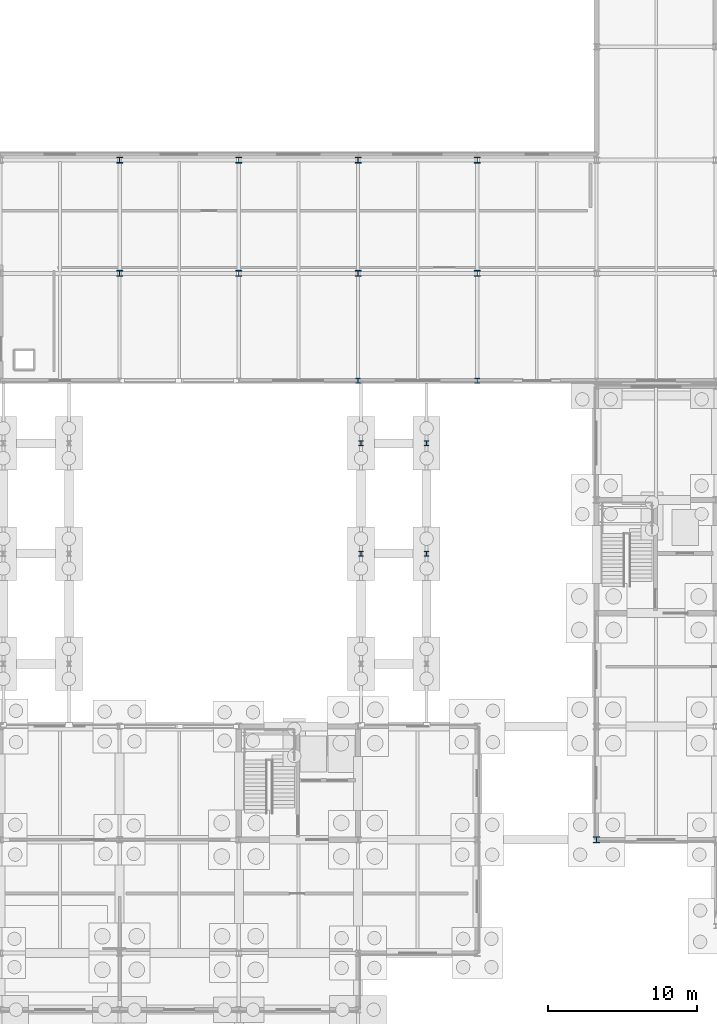
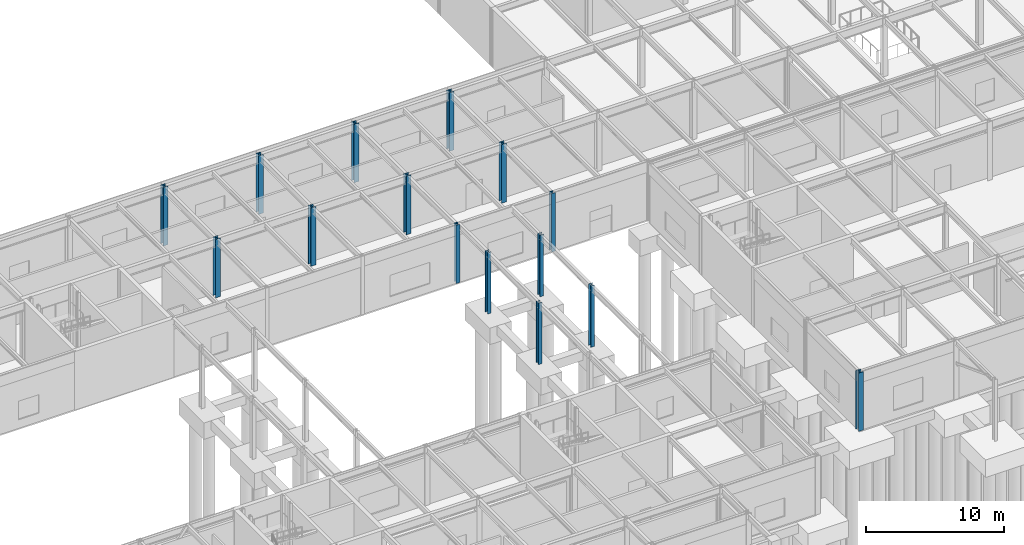
# One storey, part 14 of 62: 15 columns.
"""IFC4 building model written with IfcOpenShell, lengths in metres."""

from ifc_helpers import new_model, si_unit, direction, frame, origin, origin_2d, place, context, subcontext, project, spatial, i_section, extrude, material, material_profile, profile_set, type_object, element, save


model = new_model("IFC4")

# Units and contexts
model_context = context("Model", 3, precision=1e-05, world=origin(), true_north=direction((0.0, 1.0)))
body_context = subcontext(model_context, "Body", "Model", "MODEL_VIEW")
ifc_project = project(units=[si_unit("LENGTHUNIT", "METRE"), si_unit("AREAUNIT", "SQUARE_METRE"), si_unit("VOLUMEUNIT", "CUBIC_METRE"), si_unit("PLANEANGLEUNIT", "RADIAN"), si_unit("MASSUNIT", "GRAM", prefix="KILO")], contexts=[model_context])

# Site, building, storey
site_placement = place(None, origin())
site = spatial("IfcSite", under=ifc_project, at=site_placement, CompositionType="ELEMENT")
building_placement = place(site_placement, origin())
building = spatial("IfcBuilding", under=site, at=building_placement, Name="Zulena Civic Courthouse", CompositionType="ELEMENT")
storey_placement = place(building_placement, origin())
storey = spatial("IfcBuildingStorey", under=building, at=storey_placement, Name="L00", CompositionType="ELEMENT", Elevation=0.0)

# Columns
ifc_material = material(Name="Steel ASTM A992 Grade 50", Category="steel")
ifc_material_profile_1 = material_profile(ifc_material, i_section(OverallWidth=0.31298828125, OverallDepth=0.3330078125, WebThickness=0.01806640625, FlangeThickness=0.0283203125, FilletRadius=0.01513671875, at=origin_2d()), Name="W12X120")
ifc_profile_set_1 = profile_set([ifc_material_profile_1], Name="Steel ASTM A992 Grade 50")
column_type_1 = type_object("IfcColumnType", Name="Col_W12X120", PredefinedType="COLUMN", material=ifc_profile_set_1)
for number, where, z_axis, x_axis, name in (
    (1, (52.0, 46.0, 0.0), (0.0, 0.0, 1.0), (1.0, 0.0, 0.0), "col:V5:L00:52.0:46.0"),
    (2, (60.0, 46.0, 0.0), (0.0, 0.0, 1.0), (1.0, 0.0, 0.0), "col:V5:L00:60.0:46.0"),
):
    element("IfcColumn", number, at=place(storey_placement, frame(where, z_axis=z_axis, x_axis=x_axis)), inside=storey, type_object=column_type_1, Name=name, PredefinedType="COLUMN", context=body_context, shape_type="SweptSolid", body=[
        extrude(i_section(OverallWidth=0.31298828125, OverallDepth=0.3330078125, WebThickness=0.01806640625, FlangeThickness=0.0283203125, FilletRadius=0.01513671875, at=origin_2d()), origin(), (0.0, 0.0, 1.0), 5.18505859375),
    ])
for number, where, z_axis, x_axis, name in (
    (3, (52.199951171875, 34.39990234375, -0.22998046875), (0.0, 0.0, 1.0), (1.0, 0.0, 0.0), "col:bridge:BR-52C:L00:52.20:34.40"),
    (4, (52.199951171875, 41.800048828125, -0.22998046875), (0.0, 0.0, 1.0), (1.0, 0.0, 0.0), "col:bridge:BR-52C:L00:52.20:41.80"),
    (5, (56.60009765625, 34.39990234375, -0.22998046875), (0.0, 0.0, 1.0), (1.0, 0.0, 0.0), "col:bridge:BR-52C:L00:56.60:34.40"),
    (6, (56.60009765625, 41.800048828125, -0.22998046875), (0.0, 0.0, 1.0), (1.0, 0.0, 0.0), "col:bridge:BR-52C:L00:56.60:41.80"),
):
    element("IfcColumn", number, at=place(storey_placement, frame(where, z_axis=z_axis, x_axis=x_axis)), inside=storey, type_object=column_type_1, Name=name, PredefinedType="COLUMN", context=body_context, shape_type="SweptSolid", body=[
        extrude(i_section(OverallWidth=0.31298828125, OverallDepth=0.3330078125, WebThickness=0.01806640625, FlangeThickness=0.0283203125, FilletRadius=0.01513671875, at=origin_2d()), origin(), (0.0, 0.0, 1.0), 5.43505859375),
    ])
ifc_material_profile_2 = material_profile(ifc_material, i_section(OverallWidth=0.40087890625, OverallDepth=0.39892578125, WebThickness=0.02490234375, FlangeThickness=0.03955078125, FilletRadius=0.01513671875, at=origin_2d()), Name="W14X211")
ifc_profile_set_2 = profile_set([ifc_material_profile_2], Name="Steel ASTM A992 Grade 50")
column_type_2 = type_object("IfcColumnType", Name="Col_W14X211", PredefinedType="COLUMN", material=ifc_profile_set_2)
for number, where, z_axis, x_axis, name in (
    (7, (36.0, 53.199951171875, 0.0), (0.0, 0.0, 1.0), (1.0, 0.0, 0.0), "col:V5:L00:36.0:53.2"),
    (8, (36.0, 60.800048828125, 0.0), (0.0, 0.0, 1.0), (1.0, 0.0, 0.0), "col:V5:L00:36.0:60.8"),
    (9, (44.0, 53.199951171875, 0.0), (0.0, 0.0, 1.0), (1.0, 0.0, 0.0), "col:V5:L00:44.0:53.2"),
    (10, (44.0, 60.800048828125, 0.0), (0.0, 0.0, 1.0), (1.0, 0.0, 0.0), "col:V5:L00:44.0:60.8"),
    (11, (52.0, 53.199951171875, 0.0), (0.0, 0.0, 1.0), (1.0, 0.0, 0.0), "col:V5:L00:52.0:53.2"),
    (12, (52.0, 60.800048828125, 0.0), (0.0, 0.0, 1.0), (1.0, 0.0, 0.0), "col:V5:L00:52.0:60.8"),
    (13, (60.0, 53.199951171875, 0.0), (0.0, 0.0, 1.0), (1.0, 0.0, 0.0), "col:V5:L00:60.0:53.2"),
    (14, (60.0, 60.800048828125, 0.0), (0.0, 0.0, 1.0), (1.0, 0.0, 0.0), "col:V5:L00:60.0:60.8"),
):
    element("IfcColumn", number, at=place(storey_placement, frame(where, z_axis=z_axis, x_axis=x_axis)), inside=storey, type_object=column_type_2, Name=name, PredefinedType="COLUMN", context=body_context, shape_type="SweptSolid", body=[
        extrude(i_section(OverallWidth=0.40087890625, OverallDepth=0.39892578125, WebThickness=0.02490234375, FlangeThickness=0.03955078125, FilletRadius=0.01513671875, at=origin_2d()), origin(), (0.0, 0.0, 1.0), 5.18505859375),
    ])
ifc_material_profile_3 = material_profile(ifc_material, i_section(OverallWidth=0.406005859375, OverallDepth=0.416015625, WebThickness=0.02978515625, FlangeThickness=0.048095703125, FilletRadius=0.01513671875, at=origin_2d()), Name="W14X257")
ifc_profile_set_3 = profile_set([ifc_material_profile_3], Name="Steel ASTM A992 Grade 50")
column_type_3 = type_object("IfcColumnType", Name="Col_W14X257", PredefinedType="COLUMN", material=ifc_profile_set_3)
column_placement = place(storey_placement, frame((68.0, 15.199951171875, 0.0), z_axis=(0.0, 0.0, 1.0), x_axis=(1.0, 0.0, 0.0)))
element("IfcColumn", 15, at=column_placement, inside=storey, type_object=column_type_3, Name="col:V4:L00:68.0:15.2", PredefinedType="COLUMN", context=body_context, shape_type="SweptSolid", body=[
    extrude(i_section(OverallWidth=0.406005859375, OverallDepth=0.416015625, WebThickness=0.02978515625, FlangeThickness=0.048095703125, FilletRadius=0.01513671875, at=origin_2d()), origin(), (0.0, 0.0, 1.0), 5.18505859375),
])

save(model, "model.ifc")
